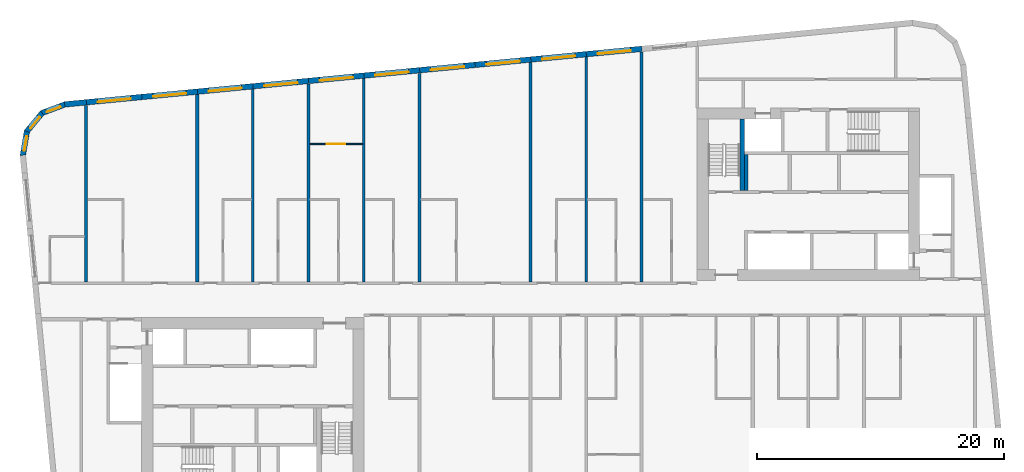
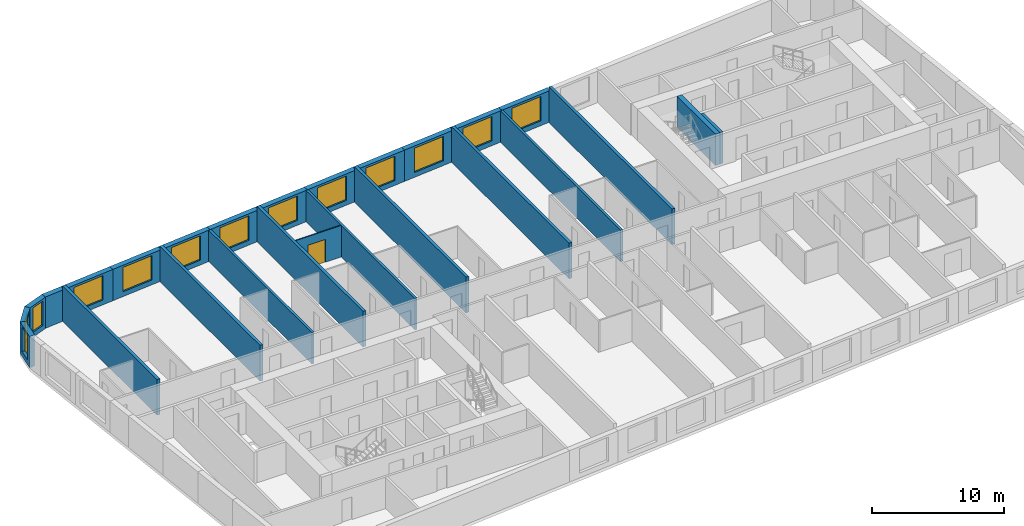
# One storey, part 6 of 11: 26 walls, 13 windows, 1 door, 14 openings.
"""IFC4 building model written with IfcOpenShell, lengths in metres."""

from ifc_helpers import new_model, si_unit, direction, frame, frame_2d, origin, place, context, subcontext, project, spatial, polyline, rectangle, outline, extrude, material, layer, layer_set, type_object, element, fill, save


model = new_model("IFC4")

# Units and contexts
model_context = context("Model", 3, precision=1e-05, world=origin(), true_north=direction((0.0, 1.0)))
body_context = subcontext(model_context, "Body", "Model", "MODEL_VIEW")
ifc_project = project(units=[si_unit("LENGTHUNIT", "METRE"), si_unit("AREAUNIT", "SQUARE_METRE"), si_unit("VOLUMEUNIT", "CUBIC_METRE"), si_unit("PLANEANGLEUNIT", "RADIAN"), si_unit("MASSUNIT", "GRAM", prefix="KILO")], contexts=[model_context])

# Site, building, storey
site_placement = place(None, origin())
site = spatial("IfcSite", under=ifc_project, at=site_placement, CompositionType="ELEMENT")
building_placement = place(site_placement, origin())
building = spatial("IfcBuilding", under=site, at=building_placement, Name="Kajstack Hotel Tower", CompositionType="ELEMENT")
storey_placement = place(building_placement, frame((0.0, 0.0, 304.800048828125)))
storey = spatial("IfcBuildingStorey", under=building, at=storey_placement, Name="L77", CompositionType="ELEMENT", Elevation=304.800048828125)

# Walls
ifc_material_1 = material(Name="Twin-frame gypsum board on steel studs, mineral wool", Category="steel")
ifc_layer_1 = layer(ifc_material_1, 0.199951171875)
ifc_layer_set_1 = layer_set([ifc_layer_1], Name="Demising wall 200")
wall_type_1 = type_object("IfcWallType", Name="Demising wall 200", PredefinedType="PARTITIONING", material=ifc_layer_set_1)
wall_1_placement = place(storey_placement, frame((-22.5, 1.39990234375, 0.0), z_axis=(0.0, 0.0, 1.0), x_axis=(0.0, 1.0, 0.0)))
element("IfcWall", 1, at=wall_1_placement, inside=storey, type_object=wall_type_1, Name="G-wall-L77-008", PredefinedType="PARTITIONING", context=body_context, shape_type="SweptSolid", body=[
    extrude(rectangle(XDim=15.6181640625, YDim=0.199951171875, at=frame_2d((7.80908203125, 0.0))), origin(), (0.0, 0.0, 1.0), 2.89990234375),
])
wall_2_placement = place(storey_placement, frame((-13.5, 1.39990234375, 0.0), z_axis=(0.0, 0.0, 1.0), x_axis=(0.0, 1.0, 0.0)))
element("IfcWall", 2, at=wall_2_placement, inside=storey, type_object=wall_type_1, Name="G-wall-L77-013", PredefinedType="PARTITIONING", context=body_context, shape_type="SweptSolid", body=[
    extrude(rectangle(XDim=16.485107421875, YDim=0.199951171875, at=frame_2d((8.24267578125, 0.0))), origin(), (0.0, 0.0, 1.0), 2.89990234375),
])
wall_3_placement = place(storey_placement, frame((4.5, 1.39990234375, 0.0), z_axis=(0.0, 0.0, 1.0), x_axis=(0.0, 1.0, 0.0)))
element("IfcWall", 3, at=wall_3_placement, inside=storey, type_object=wall_type_1, Name="G-wall-L77-021", PredefinedType="PARTITIONING", context=body_context, shape_type="SweptSolid", body=[
    extrude(rectangle(XDim=18.218017578125, YDim=0.199951171875, at=frame_2d((9.10888671875, 0.0))), origin(), (0.0, 0.0, 1.0), 2.89990234375),
])

# Wall, opening, window
ifc_material_2 = material(Name="Concrete C40/50", Category="concrete")
ifc_layer_2 = layer(ifc_material_2, 0.449951171875)
ifc_layer_set_2 = layer_set([ifc_layer_2], Name="EW-CORE")
wall_type_2 = type_object("IfcWallType", Name="EW-CORE", PredefinedType="SOLIDWALL", material=ifc_layer_set_2)
wall_4_placement = place(storey_placement, frame((9.021484375, 20.279541015625, 0.0), z_axis=(0.0, 0.0, 1.0), x_axis=(-0.995395166513, -0.095856468129, 0.0)))
wall_4 = element("IfcWall", 4, at=wall_4_placement, inside=storey, type_object=wall_type_2, Name="E-wall-L77-12-02", PredefinedType="SOLIDWALL", context=body_context, shape_type="SweptSolid", body=[
    extrude(rectangle(XDim=4.520751953125, YDim=0.449951171875, at=frame_2d((2.26025390625, 0.0))), origin(), (0.0, 0.0, 1.0), 2.89990234375),
])
opening_1_placement = place(wall_4_placement, frame((0.910400390625, 0.0, 0.449951171875)))
opening_1 = element("IfcOpeningElement", 5, at=opening_1_placement, cuts=wall_4, Name="Opening W1", PredefinedType="OPENING", context=body_context, shape_type="SweptSolid", body=[
    extrude(rectangle(XDim=2.699951171875, YDim=2.25, at=frame_2d((1.35009765625, 1.125))), frame((0.0, 0.23486328125, 0.0), z_axis=(0.0, -1.0, 0.0), x_axis=(1.0, 0.0, 0.0)), (0.0, 0.0, 1.0), 0.469970703125),
])
ifc_material_3 = material(Name="Timber-aluminium window, triple glazed", Category="wood")
window_type_1 = type_object("IfcWindowType", Name="WG1", PartitioningType="SINGLE_PANEL", PredefinedType="WINDOW", material=ifc_material_3)
window_1_placement = place(opening_1_placement, origin())
window_1 = element("IfcWindow", 6, at=window_1_placement, inside=storey, type_object=window_type_1, Name="Window W1 L77-12", OverallHeight=2.25, OverallWidth=2.699951171875, PartitioningType="SINGLE_PANEL", PredefinedType="WINDOW", context=body_context, shape_type="SweptSolid", body=[
    extrude(rectangle(XDim=2.699951171875, YDim=2.25, at=frame_2d((1.35009765625, 1.125))), frame((0.0, 0.090087890625, 0.0), z_axis=(0.0, -1.0, 0.0), x_axis=(1.0, 0.0, 0.0)), (0.0, 0.0, 1.0), 0.06005859375),
])
fill(opening_1, window_1)

wall_5_placement = place(storey_placement, frame((4.521484375, 19.84619140625, 0.0), z_axis=(0.0, 0.0, 1.0), x_axis=(-0.995394670263, -0.095861621166, 0.0)))
wall_5 = element("IfcWall", 7, at=wall_5_placement, inside=storey, type_object=wall_type_2, Name="E-wall-L77-12-03", PredefinedType="SOLIDWALL", context=body_context, shape_type="SweptSolid", body=[
    extrude(rectangle(XDim=4.5205078125, YDim=0.449951171875, at=frame_2d((2.26025390625, 0.0))), origin(), (0.0, 0.0, 1.0), 2.89990234375),
])
opening_2_placement = place(wall_5_placement, frame((0.910400390625, 0.0, 0.449951171875)))
opening_2 = element("IfcOpeningElement", 8, at=opening_2_placement, cuts=wall_5, Name="Opening W1", PredefinedType="OPENING", context=body_context, shape_type="SweptSolid", body=[
    extrude(rectangle(XDim=2.699951171875, YDim=2.25, at=frame_2d((1.35009765625, 1.125))), frame((0.0, 0.23486328125, 0.0), z_axis=(0.0, -1.0, 0.0), x_axis=(1.0, 0.0, 0.0)), (0.0, 0.0, 1.0), 0.469970703125),
])
window_2_placement = place(opening_2_placement, origin())
window_2 = element("IfcWindow", 9, at=window_2_placement, inside=storey, type_object=window_type_1, Name="Window W1 L77-12", OverallHeight=2.25, OverallWidth=2.699951171875, PartitioningType="SINGLE_PANEL", PredefinedType="WINDOW", context=body_context, shape_type="SweptSolid", body=[
    extrude(rectangle(XDim=2.699951171875, YDim=2.25, at=frame_2d((1.35009765625, 1.125))), frame((0.0, 0.090087890625, 0.0), z_axis=(0.0, -1.0, 0.0), x_axis=(1.0, 0.0, 0.0)), (0.0, 0.0, 1.0), 0.06005859375),
])
fill(opening_2, window_2)

wall_6_placement = place(storey_placement, frame((0.021728515625, 19.412841796875, 0.0), z_axis=(0.0, 0.0, 1.0), x_axis=(-0.995400317863, -0.09580296028, 0.0)))
wall_6 = element("IfcWall", 10, at=wall_6_placement, inside=storey, type_object=wall_type_2, Name="E-wall-L77-12-04", PredefinedType="SOLIDWALL", context=body_context, shape_type="SweptSolid", body=[
    extrude(rectangle(XDim=4.520751953125, YDim=0.449951171875, at=frame_2d((2.26025390625, 0.0))), origin(), (0.0, 0.0, 1.0), 2.89990234375),
])
opening_3_placement = place(wall_6_placement, frame((0.910400390625, 0.0, 0.449951171875)))
opening_3 = element("IfcOpeningElement", 11, at=opening_3_placement, cuts=wall_6, Name="Opening W1", PredefinedType="OPENING", context=body_context, shape_type="SweptSolid", body=[
    extrude(rectangle(XDim=2.699951171875, YDim=2.25, at=frame_2d((1.35009765625, 1.125))), frame((0.0, 0.23486328125, 0.0), z_axis=(0.0, -1.0, 0.0), x_axis=(1.0, 0.0, 0.0)), (0.0, 0.0, 1.0), 0.469970703125),
])
window_3_placement = place(opening_3_placement, origin())
window_3 = element("IfcWindow", 12, at=window_3_placement, inside=storey, type_object=window_type_1, Name="Window W1 L77-12", OverallHeight=2.25, OverallWidth=2.699951171875, PartitioningType="SINGLE_PANEL", PredefinedType="WINDOW", context=body_context, shape_type="SweptSolid", body=[
    extrude(rectangle(XDim=2.699951171875, YDim=2.25, at=frame_2d((1.35009765625, 1.125))), frame((0.0, 0.090087890625, 0.0), z_axis=(0.0, -1.0, 0.0), x_axis=(1.0, 0.0, 0.0)), (0.0, 0.0, 1.0), 0.06005859375),
])
fill(opening_3, window_3)

wall_7_placement = place(storey_placement, frame((-4.478271484375, 18.979736328125, 0.0), z_axis=(0.0, 0.0, 1.0), x_axis=(-0.995395662684, -0.095851315644, 0.0)))
wall_7 = element("IfcWall", 13, at=wall_7_placement, inside=storey, type_object=wall_type_2, Name="E-wall-L77-12-05", PredefinedType="SOLIDWALL", context=body_context, shape_type="SweptSolid", body=[
    extrude(rectangle(XDim=4.52099609375, YDim=0.449951171875, at=frame_2d((2.260498046875, 0.0))), origin(), (0.0, 0.0, 1.0), 2.89990234375),
])
opening_4_placement = place(wall_7_placement, frame((0.910400390625, 0.0, 0.449951171875)))
opening_4 = element("IfcOpeningElement", 14, at=opening_4_placement, cuts=wall_7, Name="Opening W1", PredefinedType="OPENING", context=body_context, shape_type="SweptSolid", body=[
    extrude(rectangle(XDim=2.699951171875, YDim=2.25, at=frame_2d((1.35009765625, 1.125))), frame((0.0, 0.23486328125, 0.0), z_axis=(0.0, -1.0, 0.0), x_axis=(1.0, 0.0, 0.0)), (0.0, 0.0, 1.0), 0.469970703125),
])
window_4_placement = place(opening_4_placement, origin())
window_4 = element("IfcWindow", 15, at=window_4_placement, inside=storey, type_object=window_type_1, Name="Window W1 L77-12", OverallHeight=2.25, OverallWidth=2.699951171875, PartitioningType="SINGLE_PANEL", PredefinedType="WINDOW", context=body_context, shape_type="SweptSolid", body=[
    extrude(rectangle(XDim=2.699951171875, YDim=2.25, at=frame_2d((1.35009765625, 1.125))), frame((0.0, 0.090087890625, 0.0), z_axis=(0.0, -1.0, 0.0), x_axis=(1.0, 0.0, 0.0)), (0.0, 0.0, 1.0), 0.06005859375),
])
fill(opening_4, window_4)

wall_8_placement = place(storey_placement, frame((-8.978515625, 18.54638671875, 0.0), z_axis=(0.0, 0.0, 1.0), x_axis=(-0.995395166513, -0.095856468129, 0.0)))
wall_8 = element("IfcWall", 16, at=wall_8_placement, inside=storey, type_object=wall_type_2, Name="E-wall-L77-12-06", PredefinedType="SOLIDWALL", context=body_context, shape_type="SweptSolid", body=[
    extrude(rectangle(XDim=4.520751953125, YDim=0.449951171875, at=frame_2d((2.26025390625, 0.0))), origin(), (0.0, 0.0, 1.0), 2.89990234375),
])
opening_5_placement = place(wall_8_placement, frame((0.910400390625, 0.0, 0.449951171875)))
opening_5 = element("IfcOpeningElement", 17, at=opening_5_placement, cuts=wall_8, Name="Opening W1", PredefinedType="OPENING", context=body_context, shape_type="SweptSolid", body=[
    extrude(rectangle(XDim=2.699951171875, YDim=2.25, at=frame_2d((1.35009765625, 1.125))), frame((0.0, 0.23486328125, 0.0), z_axis=(0.0, -1.0, 0.0), x_axis=(1.0, 0.0, 0.0)), (0.0, 0.0, 1.0), 0.469970703125),
])
window_5_placement = place(opening_5_placement, origin())
window_5 = element("IfcWindow", 18, at=window_5_placement, inside=storey, type_object=window_type_1, Name="Window W1 L77-12", OverallHeight=2.25, OverallWidth=2.699951171875, PartitioningType="SINGLE_PANEL", PredefinedType="WINDOW", context=body_context, shape_type="SweptSolid", body=[
    extrude(rectangle(XDim=2.699951171875, YDim=2.25, at=frame_2d((1.35009765625, 1.125))), frame((0.0, 0.090087890625, 0.0), z_axis=(0.0, -1.0, 0.0), x_axis=(1.0, 0.0, 0.0)), (0.0, 0.0, 1.0), 0.06005859375),
])
fill(opening_5, window_5)

wall_9_placement = place(storey_placement, frame((-13.478515625, 18.113037109375, 0.0), z_axis=(0.0, 0.0, 1.0), x_axis=(-0.995395166513, -0.095856468129, 0.0)))
wall_9 = element("IfcWall", 19, at=wall_9_placement, inside=storey, type_object=wall_type_2, Name="E-wall-L77-12-07", PredefinedType="SOLIDWALL", context=body_context, shape_type="SweptSolid", body=[
    extrude(rectangle(XDim=4.520751953125, YDim=0.449951171875, at=frame_2d((2.26025390625, 0.0))), origin(), (0.0, 0.0, 1.0), 2.89990234375),
])
opening_6_placement = place(wall_9_placement, frame((0.910400390625, 0.0, 0.449951171875)))
opening_6 = element("IfcOpeningElement", 20, at=opening_6_placement, cuts=wall_9, Name="Opening W1", PredefinedType="OPENING", context=body_context, shape_type="SweptSolid", body=[
    extrude(rectangle(XDim=2.699951171875, YDim=2.25, at=frame_2d((1.35009765625, 1.125))), frame((0.0, 0.23486328125, 0.0), z_axis=(0.0, -1.0, 0.0), x_axis=(1.0, 0.0, 0.0)), (0.0, 0.0, 1.0), 0.469970703125),
])
window_6_placement = place(opening_6_placement, origin())
window_6 = element("IfcWindow", 21, at=window_6_placement, inside=storey, type_object=window_type_1, Name="Window W1 L77-12", OverallHeight=2.25, OverallWidth=2.699951171875, PartitioningType="SINGLE_PANEL", PredefinedType="WINDOW", context=body_context, shape_type="SweptSolid", body=[
    extrude(rectangle(XDim=2.699951171875, YDim=2.25, at=frame_2d((1.35009765625, 1.125))), frame((0.0, 0.090087890625, 0.0), z_axis=(0.0, -1.0, 0.0), x_axis=(1.0, 0.0, 0.0)), (0.0, 0.0, 1.0), 0.06005859375),
])
fill(opening_6, window_6)

wall_10_placement = place(storey_placement, frame((-17.978515625, 17.6796875, 0.0), z_axis=(0.0, 0.0, 1.0), x_axis=(-0.995395166513, -0.095856468129, 0.0)))
wall_10 = element("IfcWall", 22, at=wall_10_placement, inside=storey, type_object=wall_type_2, Name="E-wall-L77-12-08", PredefinedType="SOLIDWALL", context=body_context, shape_type="SweptSolid", body=[
    extrude(rectangle(XDim=4.520751953125, YDim=0.449951171875, at=frame_2d((2.26025390625, 0.0))), origin(), (0.0, 0.0, 1.0), 2.89990234375),
])
opening_7_placement = place(wall_10_placement, frame((0.910400390625, 0.0, 0.449951171875)))
opening_7 = element("IfcOpeningElement", 23, at=opening_7_placement, cuts=wall_10, Name="Opening W1", PredefinedType="OPENING", context=body_context, shape_type="SweptSolid", body=[
    extrude(rectangle(XDim=2.699951171875, YDim=2.25, at=frame_2d((1.35009765625, 1.125))), frame((0.0, 0.23486328125, 0.0), z_axis=(0.0, -1.0, 0.0), x_axis=(1.0, 0.0, 0.0)), (0.0, 0.0, 1.0), 0.469970703125),
])
window_7_placement = place(opening_7_placement, origin())
window_7 = element("IfcWindow", 24, at=window_7_placement, inside=storey, type_object=window_type_1, Name="Window W1 L77-12", OverallHeight=2.25, OverallWidth=2.699951171875, PartitioningType="SINGLE_PANEL", PredefinedType="WINDOW", context=body_context, shape_type="SweptSolid", body=[
    extrude(rectangle(XDim=2.699951171875, YDim=2.25, at=frame_2d((1.35009765625, 1.125))), frame((0.0, 0.090087890625, 0.0), z_axis=(0.0, -1.0, 0.0), x_axis=(1.0, 0.0, 0.0)), (0.0, 0.0, 1.0), 0.06005859375),
])
fill(opening_7, window_7)

wall_11_placement = place(storey_placement, frame((-22.478515625, 17.246337890625, 0.0), z_axis=(0.0, 0.0, 1.0), x_axis=(-0.995400317863, -0.09580296028, 0.0)))
wall_11 = element("IfcWall", 25, at=wall_11_placement, inside=storey, type_object=wall_type_2, Name="E-wall-L77-12-09", PredefinedType="SOLIDWALL", context=body_context, shape_type="SweptSolid", body=[
    extrude(rectangle(XDim=4.520751953125, YDim=0.449951171875, at=frame_2d((2.26025390625, 0.0))), origin(), (0.0, 0.0, 1.0), 2.89990234375),
])
opening_8_placement = place(wall_11_placement, frame((0.910400390625, 0.0, 0.449951171875)))
opening_8 = element("IfcOpeningElement", 26, at=opening_8_placement, cuts=wall_11, Name="Opening W1", PredefinedType="OPENING", context=body_context, shape_type="SweptSolid", body=[
    extrude(rectangle(XDim=2.699951171875, YDim=2.25, at=frame_2d((1.35009765625, 1.125))), frame((0.0, 0.23486328125, 0.0), z_axis=(0.0, -1.0, 0.0), x_axis=(1.0, 0.0, 0.0)), (0.0, 0.0, 1.0), 0.469970703125),
])
window_8_placement = place(opening_8_placement, origin())
window_8 = element("IfcWindow", 27, at=window_8_placement, inside=storey, type_object=window_type_1, Name="Window W1 L77-12", OverallHeight=2.25, OverallWidth=2.699951171875, PartitioningType="SINGLE_PANEL", PredefinedType="WINDOW", context=body_context, shape_type="SweptSolid", body=[
    extrude(rectangle(XDim=2.699951171875, YDim=2.25, at=frame_2d((1.35009765625, 1.125))), frame((0.0, 0.090087890625, 0.0), z_axis=(0.0, -1.0, 0.0), x_axis=(1.0, 0.0, 0.0)), (0.0, 0.0, 1.0), 0.06005859375),
])
fill(opening_8, window_8)

wall_12_placement = place(storey_placement, frame((-26.978515625, 16.813232421875, 0.0), z_axis=(0.0, 0.0, 1.0), x_axis=(-0.995394670263, -0.095861621166, 0.0)))
wall_12 = element("IfcWall", 28, at=wall_12_placement, inside=storey, type_object=wall_type_2, Name="E-wall-L77-12-10", PredefinedType="SOLIDWALL", context=body_context, shape_type="SweptSolid", body=[
    extrude(rectangle(XDim=4.5205078125, YDim=0.449951171875, at=frame_2d((2.26025390625, 0.0))), origin(), (0.0, 0.0, 1.0), 2.89990234375),
])
opening_9_placement = place(wall_12_placement, frame((0.910400390625, 0.0, 0.449951171875)))
opening_9 = element("IfcOpeningElement", 29, at=opening_9_placement, cuts=wall_12, Name="Opening W1", PredefinedType="OPENING", context=body_context, shape_type="SweptSolid", body=[
    extrude(rectangle(XDim=2.699951171875, YDim=2.25, at=frame_2d((1.35009765625, 1.125))), frame((0.0, 0.23486328125, 0.0), z_axis=(0.0, -1.0, 0.0), x_axis=(1.0, 0.0, 0.0)), (0.0, 0.0, 1.0), 0.469970703125),
])
window_9_placement = place(opening_9_placement, origin())
window_9 = element("IfcWindow", 30, at=window_9_placement, inside=storey, type_object=window_type_1, Name="Window W1 L77-12", OverallHeight=2.25, OverallWidth=2.699951171875, PartitioningType="SINGLE_PANEL", PredefinedType="WINDOW", context=body_context, shape_type="SweptSolid", body=[
    extrude(rectangle(XDim=2.699951171875, YDim=2.25, at=frame_2d((1.35009765625, 1.125))), frame((0.0, 0.090087890625, 0.0), z_axis=(0.0, -1.0, 0.0), x_axis=(1.0, 0.0, 0.0)), (0.0, 0.0, 1.0), 0.06005859375),
])
fill(opening_9, window_9)

wall_13_placement = place(storey_placement, frame((-31.478271484375, 16.3798828125, 0.0), z_axis=(0.0, 0.0, 1.0), x_axis=(-0.995395166513, -0.095856468129, 0.0)))
wall_13 = element("IfcWall", 31, at=wall_13_placement, inside=storey, type_object=wall_type_2, Name="E-wall-L77-12-11", PredefinedType="SOLIDWALL", context=body_context, shape_type="SweptSolid", body=[
    extrude(rectangle(XDim=4.520751953125, YDim=0.449951171875, at=frame_2d((2.26025390625, 0.0))), origin(), (0.0, 0.0, 1.0), 2.89990234375),
])
opening_10_placement = place(wall_13_placement, frame((0.910400390625, 0.0, 0.449951171875)))
opening_10 = element("IfcOpeningElement", 32, at=opening_10_placement, cuts=wall_13, Name="Opening W1", PredefinedType="OPENING", context=body_context, shape_type="SweptSolid", body=[
    extrude(rectangle(XDim=2.699951171875, YDim=2.25, at=frame_2d((1.35009765625, 1.125))), frame((0.0, 0.23486328125, 0.0), z_axis=(0.0, -1.0, 0.0), x_axis=(1.0, 0.0, 0.0)), (0.0, 0.0, 1.0), 0.469970703125),
])
window_10_placement = place(opening_10_placement, origin())
window_10 = element("IfcWindow", 33, at=window_10_placement, inside=storey, type_object=window_type_1, Name="Window W1 L77-12", OverallHeight=2.25, OverallWidth=2.699951171875, PartitioningType="SINGLE_PANEL", PredefinedType="WINDOW", context=body_context, shape_type="SweptSolid", body=[
    extrude(rectangle(XDim=2.699951171875, YDim=2.25, at=frame_2d((1.35009765625, 1.125))), frame((0.0, 0.090087890625, 0.0), z_axis=(0.0, -1.0, 0.0), x_axis=(1.0, 0.0, 0.0)), (0.0, 0.0, 1.0), 0.06005859375),
])
fill(opening_10, window_10)

# Wall
wall_14_placement = place(storey_placement, frame((-35.978271484375, 15.946533203125, 0.0), z_axis=(0.0, 0.0, 1.0), x_axis=(-0.995402442812, -0.095780879321, 0.0)))
element("IfcWall", 34, at=wall_14_placement, inside=storey, type_object=wall_type_2, Name="E-wall-L77-12-12", PredefinedType="SOLIDWALL", context=body_context, shape_type="SweptSolid", body=[
    extrude(rectangle(XDim=1.766357421875, YDim=0.449951171875, at=frame_2d((0.88330078125, 0.0))), origin(), (0.0, 0.0, 1.0), 2.89990234375),
])

# Wall, opening, window
wall_15_placement = place(storey_placement, frame((-37.67919921875, 15.79052734375, 0.0), z_axis=(0.0, 0.0, 1.0), x_axis=(-0.936677599948, -0.350192909346, 0.0)))
wall_15 = element("IfcWall", 35, at=wall_15_placement, inside=storey, type_object=wall_type_2, Name="E-wall-L77-13-00", PredefinedType="SOLIDWALL", context=body_context, shape_type="SweptSolid", body=[
    extrude(outline(polyline([(0.000244140625, -0.224853515625), (2.070556640625, -0.224853515625), (1.949951171875, 0.22509765625), (0.12060546875, 0.22509765625), (0.000244140625, -0.224853515625)])), origin(), (0.0, 0.0, 1.0), 2.89990234375),
])
opening_11_placement = place(wall_15_placement, frame((0.435302734375, 0.0, 0.449951171875)))
opening_11 = element("IfcOpeningElement", 36, at=opening_11_placement, cuts=wall_15, Name="Opening W3", PredefinedType="OPENING", context=body_context, shape_type="SweptSolid", body=[
    extrude(rectangle(XDim=1.199951171875, YDim=2.25, at=frame_2d((0.60009765625, 1.125))), frame((0.0, 0.23486328125, 0.0), z_axis=(0.0, -1.0, 0.0), x_axis=(1.0, 0.0, 0.0)), (0.0, 0.0, 1.0), 0.469970703125),
])
window_type_2 = type_object("IfcWindowType", Name="WG3", PartitioningType="SINGLE_PANEL", PredefinedType="WINDOW", material=ifc_material_3)
window_11_placement = place(opening_11_placement, origin())
window_11 = element("IfcWindow", 37, at=window_11_placement, inside=storey, type_object=window_type_2, Name="Window W3 L77-13", OverallHeight=2.25, OverallWidth=1.199951171875, PartitioningType="SINGLE_PANEL", PredefinedType="WINDOW", context=body_context, shape_type="SweptSolid", body=[
    extrude(rectangle(XDim=1.199951171875, YDim=2.25, at=frame_2d((0.60009765625, 1.125))), frame((0.0, 0.090087890625, 0.0), z_axis=(0.0, -1.0, 0.0), x_axis=(1.0, 0.0, 0.0)), (0.0, 0.0, 1.0), 0.06005859375),
])
fill(opening_11, window_11)

wall_16_placement = place(storey_placement, frame((-39.52392578125, 15.133056640625, 0.0), z_axis=(0.0, 0.0, 1.0), x_axis=(-0.636046112757, -0.771651049663, 0.0)))
wall_16 = element("IfcWall", 38, at=wall_16_placement, inside=storey, type_object=wall_type_2, Name="E-wall-L77-14-00", PredefinedType="SOLIDWALL", context=body_context, shape_type="SweptSolid", body=[
    extrude(outline(polyline([(0.0, -0.224853515625), (2.070556640625, -0.224853515625), (1.949951171875, 0.22509765625), (0.12060546875, 0.22509765625), (0.0, -0.224853515625)])), origin(), (0.0, 0.0, 1.0), 2.89990234375),
])
opening_12_placement = place(wall_16_placement, frame((0.435302734375, 0.0, 0.449951171875)))
opening_12 = element("IfcOpeningElement", 39, at=opening_12_placement, cuts=wall_16, Name="Opening W3", PredefinedType="OPENING", context=body_context, shape_type="SweptSolid", body=[
    extrude(rectangle(XDim=1.199951171875, YDim=2.25, at=frame_2d((0.60009765625, 1.125))), frame((0.0, 0.23486328125, 0.0), z_axis=(0.0, -1.0, 0.0), x_axis=(1.0, 0.0, 0.0)), (0.0, 0.0, 1.0), 0.469970703125),
])
window_12_placement = place(opening_12_placement, origin())
window_12 = element("IfcWindow", 40, at=window_12_placement, inside=storey, type_object=window_type_2, Name="Window W3 L77-14", OverallHeight=2.25, OverallWidth=1.199951171875, PartitioningType="SINGLE_PANEL", PredefinedType="WINDOW", context=body_context, shape_type="SweptSolid", body=[
    extrude(rectangle(XDim=1.199951171875, YDim=2.25, at=frame_2d((0.60009765625, 1.125))), frame((0.0, 0.090087890625, 0.0), z_axis=(0.0, -1.0, 0.0), x_axis=(1.0, 0.0, 0.0)), (0.0, 0.0, 1.0), 0.06005859375),
])
fill(opening_12, window_12)

wall_17_placement = place(storey_placement, frame((-40.79248046875, 13.641357421875, 0.0), z_axis=(0.0, 0.0, 1.0), x_axis=(-0.165068144653, -0.986282164302, 0.0)))
wall_17 = element("IfcWall", 41, at=wall_17_placement, inside=storey, type_object=wall_type_2, Name="E-wall-L77-15-00", PredefinedType="SOLIDWALL", context=body_context, shape_type="SweptSolid", body=[
    extrude(outline(polyline([(0.0, -0.22509765625), (2.070556640625, -0.22509765625), (1.949951171875, 0.224853515625), (0.12060546875, 0.224853515625), (0.0, -0.22509765625)])), origin(), (0.0, 0.0, 1.0), 2.89990234375),
])
opening_13_placement = place(wall_17_placement, frame((0.435302734375, 0.0, 0.449951171875)))
opening_13 = element("IfcOpeningElement", 42, at=opening_13_placement, cuts=wall_17, Name="Opening W3", PredefinedType="OPENING", context=body_context, shape_type="SweptSolid", body=[
    extrude(rectangle(XDim=1.199951171875, YDim=2.25, at=frame_2d((0.60009765625, 1.125))), frame((0.0, 0.23486328125, 0.0), z_axis=(0.0, -1.0, 0.0), x_axis=(1.0, 0.0, 0.0)), (0.0, 0.0, 1.0), 0.469970703125),
])
window_13_placement = place(opening_13_placement, origin())
window_13 = element("IfcWindow", 43, at=window_13_placement, inside=storey, type_object=window_type_2, Name="Window W3 L77-15", OverallHeight=2.25, OverallWidth=1.199951171875, PartitioningType="SINGLE_PANEL", PredefinedType="WINDOW", context=body_context, shape_type="SweptSolid", body=[
    extrude(rectangle(XDim=1.199951171875, YDim=2.25, at=frame_2d((0.60009765625, 1.125))), frame((0.0, 0.090087890625, 0.0), z_axis=(0.0, -1.0, 0.0), x_axis=(1.0, 0.0, 0.0)), (0.0, 0.0, 1.0), 0.06005859375),
])
fill(opening_13, window_13)

# Wall, opening, door
ifc_material_4 = material(Name="Gypsum board on steel studs", Category="steel")
ifc_layer_3 = layer(ifc_material_4, 0.10009765625)
ifc_layer_set_3 = layer_set([ifc_layer_3], Name="Partition 100")
wall_type_3 = type_object("IfcWallType", Name="Partition 100", PredefinedType="PARTITIONING", material=ifc_layer_set_3)
wall_18_placement = place(storey_placement, frame((-17.875, 12.574951171875, 0.0), z_axis=(0.0, 0.0, 1.0), x_axis=(1.0, 0.0, 0.0)))
wall_18 = element("IfcWall", 44, at=wall_18_placement, inside=storey, type_object=wall_type_3, Name="G-wall-L77-016", PredefinedType="PARTITIONING", context=body_context, shape_type="SweptSolid", body=[
    extrude(rectangle(XDim=4.27490234375, YDim=0.10009765625, at=frame_2d((2.137451171875, 0.0))), origin(), (0.0, 0.0, 1.0), 2.89990234375),
])
opening_14_placement = place(wall_18_placement, frame((1.386962890625, 0.0, 0.0)))
opening_14 = element("IfcOpeningElement", 45, at=opening_14_placement, cuts=wall_18, Name="Opening 77011", PredefinedType="OPENING", context=body_context, shape_type="SweptSolid", body=[
    extrude(rectangle(XDim=1.5, YDim=2.10009765625, at=frame_2d((0.75, 1.050048828125))), frame((0.0, 0.06005859375, 0.0), z_axis=(0.0, -1.0, 0.0), x_axis=(1.0, 0.0, 0.0)), (0.0, 0.0, 1.0), 0.1201171875),
])
ifc_material_5 = material(Name="Painted timber door leaves, glazed panels", Category="wood")
door_type = type_object("IfcDoorType", Name="Double door 1500", OperationType="SINGLE_SWING_LEFT", PredefinedType="DOOR", material=ifc_material_5)
door_placement = place(opening_14_placement, origin())
door = element("IfcDoor", 46, at=door_placement, inside=storey, type_object=door_type, Name="G-door-L77-11", OperationType="SINGLE_SWING_LEFT", OverallHeight=2.10009765625, OverallWidth=1.5, PredefinedType="DOOR", context=body_context, shape_type="SweptSolid", body=[
    extrude(rectangle(XDim=1.5, YDim=2.10009765625, at=frame_2d((0.75, 1.050048828125))), frame((0.0, 0.02490234375, 0.0), z_axis=(0.0, -1.0, 0.0), x_axis=(1.0, 0.0, 0.0)), (0.0, 0.0, 1.0), 0.050048828125),
])
fill(opening_14, door)

# Walls
ifc_layer_4 = layer(ifc_material_2, 0.25)
ifc_layer_set_4 = layer_set([ifc_layer_4], Name="RC cross wall 250 C40/50")
wall_type_4 = type_object("IfcWallType", Name="RC cross wall 250 C40/50", PredefinedType="SHEAR", material=ifc_layer_set_4)
wall_19_placement = place(storey_placement, frame((-36.0, 1.39990234375, 0.0), z_axis=(0.0, 0.0, 1.0), x_axis=(0.0, 1.0, 0.0)))
element("IfcWall", 47, at=wall_19_placement, inside=storey, type_object=wall_type_4, Name="S-wall-L77-01", PredefinedType="SHEAR", context=body_context, shape_type="SweptSolid", body=[
    extrude(rectangle(XDim=14.29638671875, YDim=0.25, at=frame_2d((7.148193359375, 0.0))), origin(), (0.0, 0.0, 1.0), 3.300048828125),
])
wall_20_placement = place(storey_placement, frame((-27.0, 1.39990234375, 0.0), z_axis=(0.0, 0.0, 1.0), x_axis=(0.0, 1.0, 0.0)))
element("IfcWall", 48, at=wall_20_placement, inside=storey, type_object=wall_type_4, Name="S-wall-L77-02", PredefinedType="SHEAR", context=body_context, shape_type="SweptSolid", body=[
    extrude(rectangle(XDim=15.1630859375, YDim=0.25, at=frame_2d((7.58154296875, 0.0))), origin(), (0.0, 0.0, 1.0), 3.300048828125),
])
wall_21_placement = place(storey_placement, frame((-18.0, 1.39990234375, 0.0), z_axis=(0.0, 0.0, 1.0), x_axis=(0.0, 1.0, 0.0)))
element("IfcWall", 49, at=wall_21_placement, inside=storey, type_object=wall_type_4, Name="S-wall-L77-03", PredefinedType="SHEAR", context=body_context, shape_type="SweptSolid", body=[
    extrude(rectangle(XDim=16.029541015625, YDim=0.25, at=frame_2d((8.0146484375, 0.0))), origin(), (0.0, 0.0, 1.0), 3.300048828125),
])
wall_22_placement = place(storey_placement, frame((-9.0, 1.39990234375, 0.0), z_axis=(0.0, 0.0, 1.0), x_axis=(0.0, 1.0, 0.0)))
element("IfcWall", 50, at=wall_22_placement, inside=storey, type_object=wall_type_4, Name="S-wall-L77-05", PredefinedType="SHEAR", context=body_context, shape_type="SweptSolid", body=[
    extrude(rectangle(XDim=16.896240234375, YDim=0.25, at=frame_2d((8.4482421875, 0.0))), origin(), (0.0, 0.0, 1.0), 3.300048828125),
])
wall_23_placement = place(storey_placement, frame((0.0, 1.39990234375, 0.0), z_axis=(0.0, 0.0, 1.0), x_axis=(0.0, 1.0, 0.0)))
element("IfcWall", 51, at=wall_23_placement, inside=storey, type_object=wall_type_4, Name="S-wall-L77-07", PredefinedType="SHEAR", context=body_context, shape_type="SweptSolid", body=[
    extrude(rectangle(XDim=17.7626953125, YDim=0.25, at=frame_2d((8.88134765625, 0.0))), origin(), (0.0, 0.0, 1.0), 3.300048828125),
])
wall_24_placement = place(storey_placement, frame((9.0, 1.39990234375, 0.0), z_axis=(0.0, 0.0, 1.0), x_axis=(0.0, 1.0, 0.0)))
element("IfcWall", 52, at=wall_24_placement, inside=storey, type_object=wall_type_4, Name="S-wall-L77-09", PredefinedType="SHEAR", context=body_context, shape_type="SweptSolid", body=[
    extrude(rectangle(XDim=18.62939453125, YDim=0.25, at=frame_2d((9.314697265625, 0.0))), origin(), (0.0, 0.0, 1.0), 3.300048828125),
])
ifc_material_6 = material(Name="Concrete C50/60", Category="concrete")
ifc_layer_5 = layer(ifc_material_6, 0.25)
ifc_layer_set_5 = layer_set([ifc_layer_5], Name="Shaft wall 250")
wall_type_5 = type_object("IfcWallType", Name="Shaft wall 250", PredefinedType="SHEAR", material=ifc_layer_set_5)
wall_25_placement = place(storey_placement, frame((17.47509765625, 8.800048828125, 0.0), z_axis=(0.0, 0.0, 1.0), x_axis=(0.0, 1.0, 0.0)))
element("IfcWall", 53, at=wall_25_placement, inside=storey, type_object=wall_type_5, Name="Core wall E BE", PredefinedType="SHEAR", context=body_context, shape_type="SweptSolid", body=[
    extrude(rectangle(XDim=2.89990234375, YDim=0.25, at=frame_2d((1.449951171875, 0.0))), origin(), (0.0, 0.0, 1.0), 2.89990234375),
])
ifc_layer_6 = layer(ifc_material_6, 0.39990234375)
ifc_layer_set_6 = layer_set([ifc_layer_6], Name="Stair wall 400")
wall_type_6 = type_object("IfcWallType", Name="Stair wall 400", PredefinedType="SHEAR", material=ifc_layer_set_6)
wall_26_placement = place(storey_placement, frame((17.14990234375, 8.800048828125, 0.0), z_axis=(0.0, 0.0, 1.0), x_axis=(0.0, 1.0, 0.0)))
element("IfcWall", 54, at=wall_26_placement, inside=storey, type_object=wall_type_6, Name="Core wall E WW2", PredefinedType="SHEAR", context=body_context, shape_type="SweptSolid", body=[
    extrude(rectangle(XDim=5.800048828125, YDim=0.39990234375, at=frame_2d((2.89990234375, 0.0))), origin(), (0.0, 0.0, 1.0), 2.89990234375),
])

save(model, "model.ifc")
